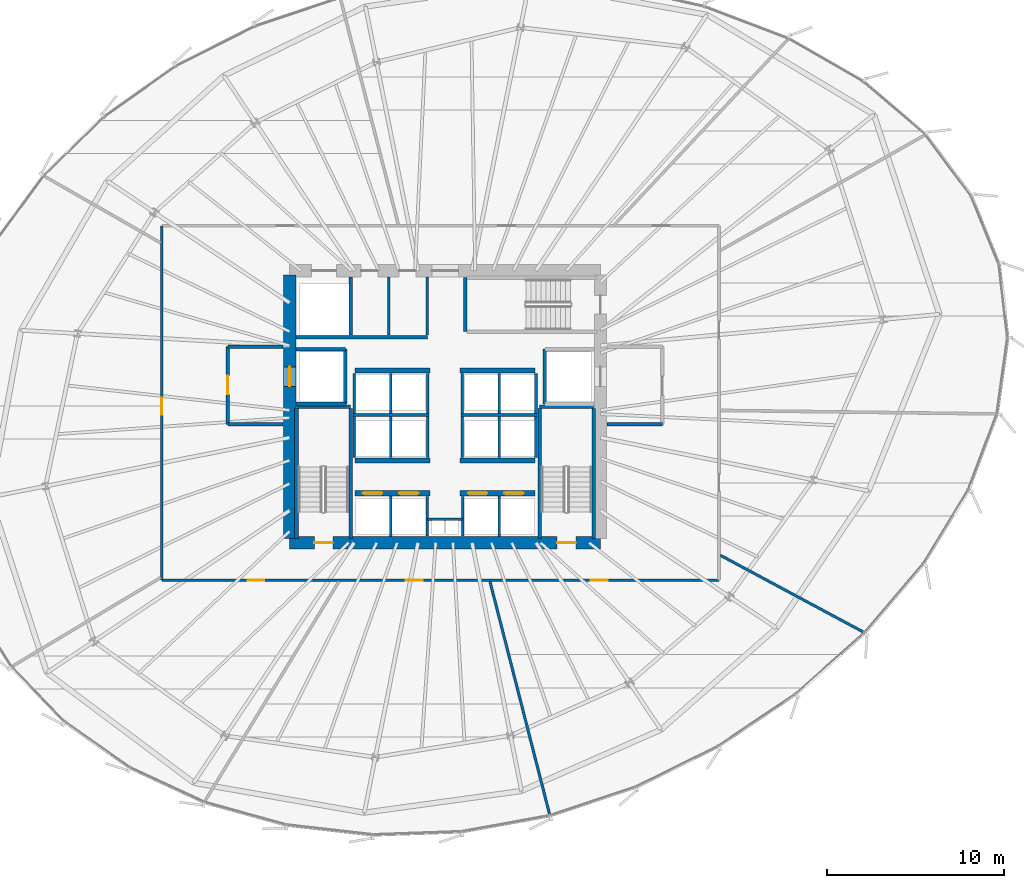
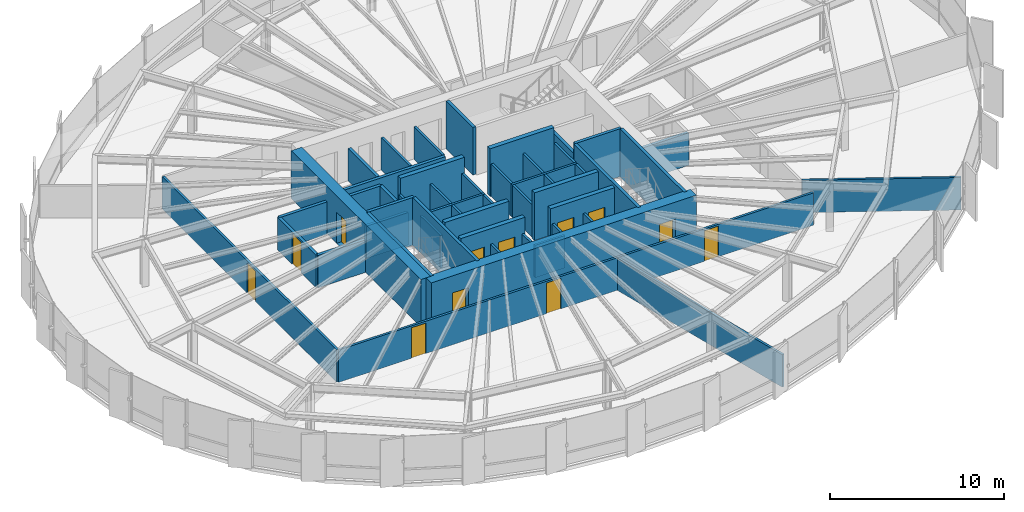
# One storey, part 28 of 35: 50 walls, 12 doors, 12 openings.
"""IFC4 building model written with IfcOpenShell, lengths in metres."""

from ifc_helpers import new_model, si_unit, direction, frame, frame_2d, origin, place, context, subcontext, project, spatial, rectangle, extrude, source, transform, mapped, material, layer, layer_set, type_object, element, fill, save


model = new_model("IFC4")

# Units and contexts
model_context = context("Model", 3, precision=1e-05, world=origin(), true_north=direction((0.0, 1.0)))
body_context = subcontext(model_context, "Body", "Model", "MODEL_VIEW")
ifc_project = project(units=[si_unit("LENGTHUNIT", "METRE"), si_unit("AREAUNIT", "SQUARE_METRE"), si_unit("VOLUMEUNIT", "CUBIC_METRE"), si_unit("PLANEANGLEUNIT", "RADIAN"), si_unit("MASSUNIT", "GRAM", prefix="KILO"), si_unit("THERMODYNAMICTEMPERATUREUNIT", "KELVIN")], contexts=[model_context])

# Site, building, storey
site_placement = place(None, origin())
site = spatial("IfcSite", under=ifc_project, at=site_placement, CompositionType="ELEMENT")
building_placement = place(site_placement, origin())
building = spatial("IfcBuilding", under=site, at=building_placement, Name="Kethvar Cultural Tower", CompositionType="ELEMENT")
storey_placement = place(building_placement, frame((0.0, 0.0, 92.800048828125)))
storey = spatial("IfcBuildingStorey", under=building, at=storey_placement, Name="L22", CompositionType="ELEMENT", Elevation=92.800048828125)

# Wall, openings, doors
ifc_material_1 = material(Name="Concrete C60/75", Category="concrete")
ifc_layer_1 = layer(ifc_material_1, 0.699951171875, Name="Concrete C60/75", Category="concrete")
ifc_layer_set_1 = layer_set([ifc_layer_1], Name="Concrete C60/75 (700 mm)")
wall_type_1 = type_object("IfcWallType", Name="WL-CORE-700", PredefinedType="SHEAR", material=ifc_layer_set_1)
wall_1_placement = place(storey_placement, frame((38.0, 20.10009765625, 0.0), z_axis=(0.0, 0.0, 1.0), x_axis=(1.0, 0.0, 0.0)))
wall_1 = element("IfcWall", 1, at=wall_1_placement, inside=storey, type_object=wall_type_1, Name="L22 Core Shear Wall S", PredefinedType="SHEAR", context=body_context, shape_type="SweptSolid", body=[
    extrude(rectangle(XDim=17.60009765625, YDim=0.699951171875, at=frame_2d((8.800048828125, 0.0))), origin(), (0.0, 0.0, 1.0), 3.349853515625),
])
opening_1_placement = place(wall_1_placement, frame((1.39990234375, 0.0, 0.0)))
opening_1 = element("IfcOpeningElement", 2, at=opening_1_placement, cuts=wall_1, Name="Opening D-L22-S1", PredefinedType="OPENING", context=body_context, shape_type="SweptSolid", body=[
    extrude(rectangle(XDim=1.050048828125, YDim=2.14990234375, at=frame_2d((0.52490234375, 1.074951171875))), frame((0.0, 0.35986328125, 0.0), z_axis=(0.0, -1.0, 0.0), x_axis=(1.0, 0.0, 0.0)), (0.0, 0.0, 1.0), 0.719970703125),
])
opening_2_placement = place(wall_1_placement, frame((15.14990234375, 0.0, 0.0)))
opening_2 = element("IfcOpeningElement", 3, at=opening_2_placement, cuts=wall_1, Name="Opening D-L22-ST2", PredefinedType="OPENING", context=body_context, shape_type="SweptSolid", body=[
    extrude(rectangle(XDim=1.050048828125, YDim=2.14990234375, at=frame_2d((0.52490234375, 1.074951171875))), frame((0.0, 0.35986328125, 0.0), z_axis=(0.0, -1.0, 0.0), x_axis=(1.0, 0.0, 0.0)), (0.0, 0.0, 1.0), 0.719970703125),
])
ifc_material_2 = material(Name="Steel S355J2", Category="steel")
door_type_1 = type_object("IfcDoorType", Name="DR-FD60-1050", OperationType="NOTDEFINED", PredefinedType="DOOR", material=ifc_material_2)
shared_shape_1 = source(origin(), body_context, "Body", "SweptSolid", [
    extrude(rectangle(XDim=1.050048828125, YDim=2.14990234375, at=frame_2d((0.52490234375, 1.074951171875))), frame((0.0, 0.02490234375, 0.0), z_axis=(0.0, -1.0, 0.0), x_axis=(1.0, 0.0, 0.0)), (0.0, 0.0, 1.0), 0.050048828125),
])
door_1_placement = place(opening_1_placement, origin())
door_1 = element("IfcDoor", 4, at=door_1_placement, inside=storey, type_object=door_type_1, Name="L22 Exit Stair 1 Door", OperationType="SINGLE_SWING_LEFT", OverallHeight=2.14990234375, OverallWidth=1.050048828125, PredefinedType="DOOR", context=body_context, shape_type="MappedRepresentation", body=[
    mapped(shared_shape_1, transform((0.0, 0.0, 0.0), scale=1.0)),
])
fill(opening_1, door_1)
door_2_placement = place(opening_2_placement, origin())
door_2 = element("IfcDoor", 5, at=door_2_placement, inside=storey, type_object=door_type_1, Name="L22 Exit Stair 2 Door", OperationType="SINGLE_SWING_RIGHT", OverallHeight=2.14990234375, OverallWidth=1.050048828125, PredefinedType="DOOR", context=body_context, shape_type="MappedRepresentation", body=[
    mapped(shared_shape_1, transform((0.0, 0.0, 0.0), scale=1.0)),
])
fill(opening_2, door_2)

# Wall, opening, door
wall_2_placement = place(storey_placement, frame((38.0, 35.260009765625, 0.0), z_axis=(0.0, 0.0, 1.0), x_axis=(0.0, -1.0, 0.0)))
wall_2 = element("IfcWall", 6, at=wall_2_placement, inside=storey, type_object=wall_type_1, Name="L22 Core Shear Wall W", PredefinedType="SHEAR", context=body_context, shape_type="SweptSolid", body=[
    extrude(rectangle(XDim=14.919921875, YDim=0.699951171875, at=frame_2d((7.4599609375, 0.0))), origin(), (0.0, 0.0, 1.0), 3.349853515625),
])
opening_3_placement = place(wall_2_placement, frame((5.2099609375, 0.0, 0.0)))
opening_3 = element("IfcOpeningElement", 7, at=opening_3_placement, cuts=wall_2, Name="Opening LD-1", PredefinedType="OPENING", context=body_context, shape_type="SweptSolid", body=[
    extrude(rectangle(XDim=1.10009765625, YDim=2.199951171875, at=frame_2d((0.550048828125, 1.10009765625))), frame((0.0, 0.35986328125, 0.0), z_axis=(0.0, -1.0, 0.0), x_axis=(1.0, 0.0, 0.0)), (0.0, 0.0, 1.0), 0.719970703125),
])
door_type_2 = type_object("IfcDoorType", Name="DR-LIFT-SLIDE-1100", OperationType="NOTDEFINED", PredefinedType="DOOR", material=ifc_material_2)
shared_shape_2 = source(origin(), body_context, "Body", "SweptSolid", [
    extrude(rectangle(XDim=1.10009765625, YDim=2.199951171875, at=frame_2d((0.550048828125, 1.10009765625))), frame((0.0, 0.02490234375, 0.0), z_axis=(0.0, -1.0, 0.0), x_axis=(1.0, 0.0, 0.0)), (0.0, 0.0, 1.0), 0.050048828125),
])
door_3_placement = place(opening_3_placement, origin())
door_3 = element("IfcDoor", 8, at=door_3_placement, inside=storey, type_object=door_type_2, Name="L22 Firefighting Lift Landing Door FFL-01", OperationType="SLIDING_TO_LEFT", OverallHeight=2.199951171875, OverallWidth=1.10009765625, PredefinedType="DOOR", context=body_context, shape_type="MappedRepresentation", body=[
    mapped(shared_shape_2, transform((0.0, 0.0, 0.0), scale=1.0)),
])
fill(opening_3, door_3)

# Walls
ifc_material_3 = material(Name="Gypsum Fireboard Partition")
ifc_layer_2 = layer(ifc_material_3, 0.14990234375, Name="Gypsum Fireboard Partition")
ifc_layer_set_2 = layer_set([ifc_layer_2], Name="Gypsum Fireboard Partition (150 mm)")
wall_type_2 = type_object("IfcWallType", Name="WL-FIRE-150", PredefinedType="PARTITIONING", material=ifc_layer_set_2)
wall_3_placement = place(storey_placement, frame((45.800048828125, 21.419921875, 0.0), z_axis=(0.0, 0.0, 1.0), x_axis=(1.0, 0.0, 0.0)))
element("IfcWall", 9, at=wall_3_placement, inside=storey, type_object=wall_type_2, Name="L22 Core Riser Wall", PredefinedType="PARTITIONING", context=body_context, shape_type="SweptSolid", body=[
    extrude(rectangle(XDim=2.0, YDim=0.14990234375, at=frame_2d((1.0, 0.0))), origin(), (0.0, 0.0, 1.0), 2.280029296875),
])
for number, where, z_axis, x_axis, name in (
    (10, (45.800048828125, 20.47998046875, 0.0), (0.0, 0.0, 1.0), (0.0, 1.0, 0.0), "L22 Core Riser West Wall"),
    (11, (47.800048828125, 20.47998046875, 0.0), (0.0, 0.0, 1.0), (0.0, 1.0, 0.0), "L22 Core Riser East Wall"),
):
    element("IfcWall", number, at=place(storey_placement, frame(where, z_axis=z_axis, x_axis=x_axis)), inside=storey, type_object=wall_type_2, Name=name, PredefinedType="PARTITIONING", context=body_context, shape_type="SweptSolid", body=[
        extrude(rectangle(XDim=2.239990234375, YDim=0.14990234375, at=frame_2d((1.1201171875, 0.0))), origin(), (0.0, 0.0, 1.0), 2.280029296875),
    ])
for number, where, z_axis, x_axis, name in (
    (12, (43.72509765625, 20.4599609375, 0.0), (0.0, 0.0, 1.0), (0.0, 1.0, 0.0), "L22 Low-Rise Lift Shaft Divider W"),
    (13, (49.875, 20.4599609375, 0.0), (0.0, 0.0, 1.0), (0.0, 1.0, 0.0), "L22 Low-Rise Lift Shaft Divider E"),
):
    element("IfcWall", number, at=place(storey_placement, frame(where, z_axis=z_axis, x_axis=x_axis)), inside=storey, type_object=wall_type_2, Name=name, PredefinedType="PARTITIONING", context=body_context, shape_type="SweptSolid", body=[
        extrude(rectangle(XDim=2.27001953125, YDim=0.14990234375, at=frame_2d((1.135009765625, 0.0))), origin(), (0.0, 0.0, 1.0), 2.280029296875),
    ])
wall_4_placement = place(storey_placement, frame((41.580078125, 27.324951171875, 0.0), z_axis=(0.0, 0.0, 1.0), x_axis=(1.0, 0.0, 0.0)))
element("IfcWall", 14, at=wall_4_placement, inside=storey, type_object=wall_type_2, Name="L22 Mid-High Lift Shaft Back Wall W", PredefinedType="PARTITIONING", context=body_context, shape_type="SweptSolid", body=[
    extrude(rectangle(XDim=4.31982421875, YDim=0.14990234375, at=frame_2d((2.159912109375, 0.0))), origin(), (0.0, 0.0, 1.0), 2.280029296875),
])
wall_5_placement = place(storey_placement, frame((47.699951171875, 27.324951171875, 0.0), z_axis=(0.0, 0.0, 1.0), x_axis=(1.0, 0.0, 0.0)))
element("IfcWall", 15, at=wall_5_placement, inside=storey, type_object=wall_type_2, Name="L22 Mid-High Lift Shaft Back Wall E", PredefinedType="PARTITIONING", context=body_context, shape_type="SweptSolid", body=[
    extrude(rectangle(XDim=4.320068359375, YDim=0.14990234375, at=frame_2d((2.16015625, 0.0))), origin(), (0.0, 0.0, 1.0), 2.280029296875),
])
for number, where, z_axis, x_axis, name in (
    (16, (41.64990234375, 24.919921875, 0.0), (0.0, 0.0, 1.0), (0.0, 1.0, 0.0), "L22 Mid-Rise Lift Shaft Outer Wall W"),
    (17, (43.72509765625, 24.919921875, 0.0), (0.0, 0.0, 1.0), (0.0, 1.0, 0.0), "L22 Mid-Rise Lift Shaft Divider W"),
    (18, (45.824951171875, 24.919921875, 0.0), (0.0, 0.0, 1.0), (0.0, 1.0, 0.0), "L22 Mid-Rise Lift Shaft Concourse Wall W"),
    (19, (47.77490234375, 24.919921875, 0.0), (0.0, 0.0, 1.0), (0.0, 1.0, 0.0), "L22 Mid-Rise Lift Shaft Concourse Wall E"),
    (20, (49.875, 24.919921875, 0.0), (0.0, 0.0, 1.0), (0.0, 1.0, 0.0), "L22 Mid-Rise Lift Shaft Divider E"),
    (21, (51.949951171875, 24.919921875, 0.0), (0.0, 0.0, 1.0), (0.0, 1.0, 0.0), "L22 Mid-Rise Lift Shaft Outer Wall E"),
):
    element("IfcWall", number, at=place(storey_placement, frame(where, z_axis=z_axis, x_axis=x_axis)), inside=storey, type_object=wall_type_2, Name=name, PredefinedType="PARTITIONING", context=body_context, shape_type="SweptSolid", body=[
        extrude(rectangle(XDim=2.320068359375, YDim=0.14990234375, at=frame_2d((1.16015625, 0.0))), origin(), (0.0, 0.0, 1.0), 2.280029296875),
    ])
for number, where, z_axis, x_axis, name in (
    (22, (41.64990234375, 27.409912109375, 0.0), (0.0, 0.0, 1.0), (0.0, 1.0, 0.0), "L22 High-Rise Lift Shaft Outer Wall W"),
    (23, (43.72509765625, 27.409912109375, 0.0), (0.0, 0.0, 1.0), (0.0, 1.0, 0.0), "L22 High-Rise Lift Shaft Divider W"),
    (24, (45.824951171875, 27.409912109375, 0.0), (0.0, 0.0, 1.0), (0.0, 1.0, 0.0), "L22 High-Rise Lift Shaft Concourse Wall W"),
    (25, (47.77490234375, 27.409912109375, 0.0), (0.0, 0.0, 1.0), (0.0, 1.0, 0.0), "L22 High-Rise Lift Shaft Concourse Wall E"),
    (26, (49.875, 27.409912109375, 0.0), (0.0, 0.0, 1.0), (0.0, 1.0, 0.0), "L22 High-Rise Lift Shaft Divider E"),
    (27, (51.949951171875, 27.409912109375, 0.0), (0.0, 0.0, 1.0), (0.0, 1.0, 0.0), "L22 High-Rise Lift Shaft Outer Wall E"),
):
    element("IfcWall", number, at=place(storey_placement, frame(where, z_axis=z_axis, x_axis=x_axis)), inside=storey, type_object=wall_type_2, Name=name, PredefinedType="PARTITIONING", context=body_context, shape_type="SweptSolid", body=[
        extrude(rectangle(XDim=2.27001953125, YDim=0.14990234375, at=frame_2d((1.135009765625, 0.0))), origin(), (0.0, 0.0, 1.0), 2.280029296875),
    ])
wall_6_placement = place(storey_placement, frame((45.800048828125, 31.85009765625, 0.0), z_axis=(0.0, 0.0, 1.0), x_axis=(0.0, 1.0, 0.0)))
element("IfcWall", 28, at=wall_6_placement, inside=storey, type_object=wall_type_2, Name="L22 Sanitary Spine Wall", PredefinedType="PARTITIONING", context=body_context, shape_type="SweptSolid", body=[
    extrude(rectangle(XDim=3.289794921875, YDim=0.14990234375, at=frame_2d((1.64501953125, 0.0))), origin(), (0.0, 0.0, 1.0), 2.280029296875),
])

# Wall, openings, doors
wall_7_placement = place(storey_placement, frame((30.77001953125, 17.97998046875, 0.0), z_axis=(0.0, 0.0, 1.0), x_axis=(1.0, 0.0, 0.0)))
wall_7 = element("IfcWall", 29, at=wall_7_placement, inside=storey, type_object=wall_type_2, Name="L22 Corridor Rated Wall S", PredefinedType="PARTITIONING", context=body_context, shape_type="SweptSolid", body=[
    extrude(rectangle(XDim=31.5400390625, YDim=0.14990234375, at=frame_2d((15.77001953125, 0.0))), origin(), (0.0, 0.0, 1.0), 2.280029296875),
])
opening_4_placement = place(wall_7_placement, frame((4.848388671875, 0.0, 0.0)))
opening_4 = element("IfcOpeningElement", 30, at=opening_4_placement, cuts=wall_7, Name="Opening D-L22-01", PredefinedType="OPENING", context=body_context, shape_type="SweptSolid", body=[
    extrude(rectangle(XDim=0.949951171875, YDim=2.14990234375, at=frame_2d((0.47509765625, 1.074951171875))), frame((0.0, 0.0849609375, 0.0), z_axis=(0.0, -1.0, 0.0), x_axis=(1.0, 0.0, 0.0)), (0.0, 0.0, 1.0), 0.169921875),
])
opening_5_placement = place(wall_7_placement, frame((13.81494140625, 0.0, 0.0)))
opening_5 = element("IfcOpeningElement", 31, at=opening_5_placement, cuts=wall_7, Name="Opening D-L22-02", PredefinedType="OPENING", context=body_context, shape_type="SweptSolid", body=[
    extrude(rectangle(XDim=0.949951171875, YDim=2.14990234375, at=frame_2d((0.47509765625, 1.074951171875))), frame((0.0, 0.0849609375, 0.0), z_axis=(0.0, -1.0, 0.0), x_axis=(1.0, 0.0, 0.0)), (0.0, 0.0, 1.0), 0.169921875),
])
opening_6_placement = place(wall_7_placement, frame((24.28076171875, 0.0, 0.0)))
opening_6 = element("IfcOpeningElement", 32, at=opening_6_placement, cuts=wall_7, Name="Opening D-L22-03", PredefinedType="OPENING", context=body_context, shape_type="SweptSolid", body=[
    extrude(rectangle(XDim=0.949951171875, YDim=2.14990234375, at=frame_2d((0.47509765625, 1.074951171875))), frame((0.0, 0.0849609375, 0.0), z_axis=(0.0, -1.0, 0.0), x_axis=(1.0, 0.0, 0.0)), (0.0, 0.0, 1.0), 0.169921875),
])
ifc_material_4 = material(Name="Architectural Oak Timber", Category="wood")
door_type_3 = type_object("IfcDoorType", Name="DR-FD30-950", OperationType="NOTDEFINED", PredefinedType="DOOR", material=ifc_material_4)
shared_shape_3 = source(origin(), body_context, "Body", "SweptSolid", [
    extrude(rectangle(XDim=0.949951171875, YDim=2.14990234375, at=frame_2d((0.47509765625, 1.074951171875))), frame((0.0, 0.02490234375, 0.0), z_axis=(0.0, -1.0, 0.0), x_axis=(1.0, 0.0, 0.0)), (0.0, 0.0, 1.0), 0.050048828125),
])
door_4_placement = place(opening_4_placement, origin())
door_4 = element("IfcDoor", 33, at=door_4_placement, inside=storey, type_object=door_type_3, Name="L22 Special Collections Storage 01 Door", OperationType="SINGLE_SWING_LEFT", OverallHeight=2.14990234375, OverallWidth=0.949951171875, PredefinedType="DOOR", context=body_context, shape_type="MappedRepresentation", body=[
    mapped(shared_shape_3, transform((0.0, 0.0, 0.0), scale=1.0)),
])
fill(opening_4, door_4)
door_5_placement = place(opening_5_placement, origin())
door_5 = element("IfcDoor", 34, at=door_5_placement, inside=storey, type_object=door_type_3, Name="L22 Manuscript Archive Store 02 Door", OperationType="SINGLE_SWING_RIGHT", OverallHeight=2.14990234375, OverallWidth=0.949951171875, PredefinedType="DOOR", context=body_context, shape_type="MappedRepresentation", body=[
    mapped(shared_shape_3, transform((0.0, 0.0, 0.0), scale=1.0)),
])
fill(opening_5, door_5)
door_6_placement = place(opening_6_placement, origin())
door_6 = element("IfcDoor", 35, at=door_6_placement, inside=storey, type_object=door_type_3, Name="L22 Artifact Conservation Storage 03 Door", OperationType="SINGLE_SWING_LEFT", OverallHeight=2.14990234375, OverallWidth=0.949951171875, PredefinedType="DOOR", context=body_context, shape_type="MappedRepresentation", body=[
    mapped(shared_shape_3, transform((0.0, 0.0, 0.0), scale=1.0)),
])
fill(opening_6, door_6)

# Wall, opening, door
wall_8_placement = place(storey_placement, frame((30.77001953125, 38.0400390625, 0.0), z_axis=(0.0, 0.0, 1.0), x_axis=(0.0, -1.0, 0.0)))
wall_8 = element("IfcWall", 36, at=wall_8_placement, inside=storey, type_object=wall_type_2, Name="L22 Corridor Rated Wall W", PredefinedType="PARTITIONING", context=body_context, shape_type="SweptSolid", body=[
    extrude(rectangle(XDim=20.06005859375, YDim=0.14990234375, at=frame_2d((10.030029296875, 0.0))), origin(), (0.0, 0.0, 1.0), 2.280029296875),
])
opening_7_placement = place(wall_8_placement, frame((9.74853515625, 0.0, 0.0)))
opening_7 = element("IfcOpeningElement", 37, at=opening_7_placement, cuts=wall_8, Name="Opening D-L22-09", PredefinedType="OPENING", context=body_context, shape_type="SweptSolid", body=[
    extrude(rectangle(XDim=0.949951171875, YDim=2.14990234375, at=frame_2d((0.47509765625, 1.074951171875))), frame((0.0, 0.0849609375, 0.0), z_axis=(0.0, -1.0, 0.0), x_axis=(1.0, 0.0, 0.0)), (0.0, 0.0, 1.0), 0.169921875),
])
door_7_placement = place(opening_7_placement, origin())
door_7 = element("IfcDoor", 38, at=door_7_placement, inside=storey, type_object=door_type_3, Name="L22 Researchers' Study Lounge 09 Door", OperationType="SINGLE_SWING_LEFT", OverallHeight=2.14990234375, OverallWidth=0.949951171875, PredefinedType="DOOR", context=body_context, shape_type="MappedRepresentation", body=[
    mapped(shared_shape_3, transform((0.0, 0.0, 0.0), scale=1.0)),
])
fill(opening_7, door_7)

# Walls
ifc_material_5 = material(Name="Concrete C40/50", Category="concrete")
ifc_layer_3 = layer(ifc_material_5, 0.199951171875, Name="Concrete C40/50", Category="concrete")
ifc_layer_set_3 = layer_set([ifc_layer_3], Name="Concrete C40/50 (200 mm)")
wall_type_3 = type_object("IfcWallType", Name="WL-FIRE-200", PredefinedType="PARTITIONING", material=ifc_layer_set_3)
wall_9_placement = place(storey_placement, frame((41.14990234375, 27.949951171875, 0.0), z_axis=(0.0, 0.0, 1.0), x_axis=(0.0, 1.0, 0.0)))
element("IfcWall", 39, at=wall_9_placement, inside=storey, type_object=wall_type_3, Name="L22 FFL-01 Shaft Inner Wall", PredefinedType="PARTITIONING", context=body_context, shape_type="SweptSolid", body=[
    extrude(rectangle(XDim=3.10009765625, YDim=0.199951171875, at=frame_2d((1.550048828125, 0.0))), origin(), (0.0, 0.0, 1.0), 2.280029296875),
])
for number, where, z_axis, x_axis, name in (
    (40, (38.360107421875, 27.949951171875, 0.0), (0.0, 0.0, 1.0), (1.0, 0.0, 0.0), "L22 FFL-01 Shaft South Wall"),
    (41, (38.360107421875, 31.050048828125, 0.0), (0.0, 0.0, 1.0), (1.0, 0.0, 0.0), "L22 FFL-01 Shaft North Wall"),
):
    element("IfcWall", number, at=place(storey_placement, frame(where, z_axis=z_axis, x_axis=x_axis)), inside=storey, type_object=wall_type_3, Name=name, PredefinedType="PARTITIONING", context=body_context, shape_type="SweptSolid", body=[
        extrude(rectangle(XDim=2.789794921875, YDim=0.199951171875, at=frame_2d((1.39501953125, 0.0))), origin(), (0.0, 0.0, 1.0), 2.280029296875),
    ])

# Wall, opening, door
wall_10_placement = place(storey_placement, frame((34.5, 31.199951171875, 0.0), z_axis=(0.0, 0.0, 1.0), x_axis=(0.0, -1.0, 0.0)))
wall_10 = element("IfcWall", 42, at=wall_10_placement, inside=storey, type_object=wall_type_3, Name="L22 Firefighting Lobby 1 Wall", PredefinedType="PARTITIONING", context=body_context, shape_type="SweptSolid", body=[
    extrude(rectangle(XDim=4.39990234375, YDim=0.199951171875, at=frame_2d((2.199951171875, 0.0))), origin(), (0.0, 0.0, 1.0), 2.280029296875),
])
opening_8_placement = place(wall_10_placement, frame((1.64990234375, 0.0, 0.0)))
opening_8 = element("IfcOpeningElement", 43, at=opening_8_placement, cuts=wall_10, Name="Opening D-L22-F1", PredefinedType="OPENING", context=body_context, shape_type="SweptSolid", body=[
    extrude(rectangle(XDim=1.050048828125, YDim=2.14990234375, at=frame_2d((0.52490234375, 1.074951171875))), frame((0.0, 0.10986328125, 0.0), z_axis=(0.0, -1.0, 0.0), x_axis=(1.0, 0.0, 0.0)), (0.0, 0.0, 1.0), 0.219970703125),
])
door_8_placement = place(opening_8_placement, origin())
door_8 = element("IfcDoor", 44, at=door_8_placement, inside=storey, type_object=door_type_1, Name="L22 Firefighting Lobby 1 Fire Door", OperationType="SINGLE_SWING_LEFT", OverallHeight=2.14990234375, OverallWidth=1.050048828125, PredefinedType="DOOR", context=body_context, shape_type="MappedRepresentation", body=[
    mapped(shared_shape_1, transform((0.0, 0.0, 0.0), scale=1.0)),
])
fill(opening_8, door_8)

# Walls
for number, where, z_axis, x_axis, name in (
    (45, (34.5, 26.800048828125, 0.0), (0.0, 0.0, 1.0), (1.0, 0.0, 0.0), "L22 FF Lobby 1 South Wall"),
    (46, (34.5, 31.199951171875, 0.0), (0.0, 0.0, 1.0), (1.0, 0.0, 0.0), "L22 FF Lobby 1 North Wall"),
):
    element("IfcWall", number, at=place(storey_placement, frame(where, z_axis=z_axis, x_axis=x_axis)), inside=storey, type_object=wall_type_3, Name=name, PredefinedType="PARTITIONING", context=body_context, shape_type="SweptSolid", body=[
        extrude(rectangle(XDim=3.139892578125, YDim=0.199951171875, at=frame_2d((1.56982421875, 0.0))), origin(), (0.0, 0.0, 1.0), 2.280029296875),
    ])
wall_11_placement = place(storey_placement, frame((52.449951171875, 27.949951171875, 0.0), z_axis=(0.0, 0.0, 1.0), x_axis=(0.0, 1.0, 0.0)))
element("IfcWall", 47, at=wall_11_placement, inside=storey, type_object=wall_type_3, Name="L22 FFL-02 Shaft Inner Wall", PredefinedType="PARTITIONING", context=body_context, shape_type="SweptSolid", body=[
    extrude(rectangle(XDim=3.10009765625, YDim=0.199951171875, at=frame_2d((1.550048828125, 0.0))), origin(), (0.0, 0.0, 1.0), 2.280029296875),
])
wall_12_placement = place(storey_placement, frame((55.9599609375, 26.800048828125, 0.0), z_axis=(0.0, 0.0, 1.0), x_axis=(1.0, 0.0, 0.0)))
element("IfcWall", 48, at=wall_12_placement, inside=storey, type_object=wall_type_3, Name="L22 FF Lobby 2 South Wall", PredefinedType="PARTITIONING", context=body_context, shape_type="SweptSolid", body=[
    extrude(rectangle(XDim=3.14013671875, YDim=0.199951171875, at=frame_2d((1.570068359375, 0.0))), origin(), (0.0, 0.0, 1.0), 2.280029296875),
])
wall_13_placement = place(storey_placement, frame((41.449951171875, 31.85009765625, 0.0), z_axis=(0.0, 0.0, 1.0), x_axis=(0.0, 1.0, 0.0)))
element("IfcWall", 49, at=wall_13_placement, inside=storey, type_object=wall_type_3, Name="L22 NW Core Pocket Wall", PredefinedType="PARTITIONING", context=body_context, shape_type="SweptSolid", body=[
    extrude(rectangle(XDim=3.289794921875, YDim=0.199951171875, at=frame_2d((1.64501953125, 0.0))), origin(), (0.0, 0.0, 1.0), 2.280029296875),
])
wall_14_placement = place(storey_placement, frame((38.360107421875, 31.72998046875, 0.0), z_axis=(0.0, 0.0, 1.0), x_axis=(1.0, 0.0, 0.0)))
element("IfcWall", 50, at=wall_14_placement, inside=storey, type_object=wall_type_3, Name="L22 North Core Sanitary South Wall", PredefinedType="PARTITIONING", context=body_context, shape_type="SweptSolid", body=[
    extrude(rectangle(XDim=7.43994140625, YDim=0.199951171875, at=frame_2d((3.719970703125, 0.0))), origin(), (0.0, 0.0, 1.0), 2.280029296875),
])
ifc_material_6 = material(Name="Gypsum Acoustic Partition")
ifc_layer_4 = layer(ifc_material_6, 0.14990234375, Name="Gypsum Acoustic Partition")
ifc_layer_set_4 = layer_set([ifc_layer_4], Name="Gypsum Acoustic Partition (150 mm)")
wall_type_4 = type_object("IfcWallType", Name="WL-PART-150", PredefinedType="PARTITIONING", material=ifc_layer_set_4)
wall_15_placement = place(storey_placement, frame((49.34130859375, 17.902587890625, 0.0), z_axis=(0.0, 0.0, 1.0), x_axis=(0.248100788848, -0.968734224941, 0.0)))
element("IfcWall", 51, at=wall_15_placement, inside=storey, type_object=wall_type_4, Name="L22 Radial Partition Wall 03", PredefinedType="PARTITIONING", context=body_context, shape_type="SweptSolid", body=[
    extrude(rectangle(XDim=13.56396484375, YDim=0.14990234375, at=frame_2d((6.781982421875, 0.0))), origin(), (0.0, 0.0, 1.0), 2.280029296875),
])
wall_16_placement = place(storey_placement, frame((62.380615234375, 19.38818359375, 0.0), z_axis=(0.0, 0.0, 1.0), x_axis=(0.881148345104, -0.472839924204, 0.0)))
element("IfcWall", 52, at=wall_16_placement, inside=storey, type_object=wall_type_4, Name="L22 Radial Partition Wall 04", PredefinedType="PARTITIONING", context=body_context, shape_type="SweptSolid", body=[
    extrude(rectangle(XDim=9.155517578125, YDim=0.14990234375, at=frame_2d((4.57763671875, 0.0))), origin(), (0.0, 0.0, 1.0), 2.280029296875),
])
ifc_material_7 = material(Name="Moisture-Resistant Sanitary Chase Wall")
ifc_layer_5 = layer(ifc_material_7, 0.14990234375, Name="Moisture-Resistant Sanitary Chase Wall")
ifc_layer_set_5 = layer_set([ifc_layer_5], Name="Moisture-Resistant Sanitary Chase Wall (150 mm)")
wall_type_5 = type_object("IfcWallType", Name="WL-PLUMB-150", PredefinedType="PLUMBINGWALL", material=ifc_layer_set_5)
wall_17_placement = place(storey_placement, frame((43.6201171875, 31.85009765625, 0.0), z_axis=(0.0, 0.0, 1.0), x_axis=(0.0, 1.0, 0.0)))
element("IfcWall", 53, at=wall_17_placement, inside=storey, type_object=wall_type_5, Name="L22 Sanitary Plumbing Wall", PredefinedType="PLUMBINGWALL", context=body_context, shape_type="SweptSolid", body=[
    extrude(rectangle(XDim=3.289794921875, YDim=0.14990234375, at=frame_2d((1.64501953125, 0.0))), origin(), (0.0, 0.0, 1.0), 2.280029296875),
])

# Wall, openings, doors
ifc_material_8 = material(Name="Concrete C50/60", Category="concrete")
ifc_layer_6 = layer(ifc_material_8, 0.300048828125, Name="Concrete C50/60", Category="concrete")
ifc_layer_set_6 = layer_set([ifc_layer_6], Name="Concrete C50/60 (300 mm)")
wall_type_6 = type_object("IfcWallType", Name="WL-SHAFT-300", PredefinedType="SHEAR", material=ifc_layer_set_6)
wall_18_placement = place(storey_placement, frame((41.699951171875, 22.89990234375, 0.0), z_axis=(0.0, 0.0, 1.0), x_axis=(1.0, 0.0, 0.0)))
wall_18 = element("IfcWall", 54, at=wall_18_placement, inside=storey, type_object=wall_type_6, Name="L22 Core Lift Spine Wall MID1W", PredefinedType="SHEAR", context=body_context, shape_type="SweptSolid", body=[
    extrude(rectangle(XDim=4.25, YDim=0.300048828125, at=frame_2d((2.125, 0.0))), origin(), (0.0, 0.0, 1.0), 3.349853515625),
])
opening_9_placement = place(wall_18_placement, frame((0.449951171875, 0.0, 0.0)))
opening_9 = element("IfcOpeningElement", 55, at=opening_9_placement, cuts=wall_18, Name="Opening LD-L1", PredefinedType="OPENING", context=body_context, shape_type="SweptSolid", body=[
    extrude(rectangle(XDim=1.10009765625, YDim=2.199951171875, at=frame_2d((0.550048828125, 1.10009765625))), frame((0.0, 0.159912109375, 0.0), z_axis=(0.0, -1.0, 0.0), x_axis=(1.0, 0.0, 0.0)), (0.0, 0.0, 1.0), 0.320068359375),
])
opening_10_placement = place(wall_18_placement, frame((2.5, 0.0, 0.0)))
opening_10 = element("IfcOpeningElement", 56, at=opening_10_placement, cuts=wall_18, Name="Opening LD-L2", PredefinedType="OPENING", context=body_context, shape_type="SweptSolid", body=[
    extrude(rectangle(XDim=1.10009765625, YDim=2.199951171875, at=frame_2d((0.550048828125, 1.10009765625))), frame((0.0, 0.159912109375, 0.0), z_axis=(0.0, -1.0, 0.0), x_axis=(1.0, 0.0, 0.0)), (0.0, 0.0, 1.0), 0.320068359375),
])
door_9_placement = place(opening_9_placement, origin())
door_9 = element("IfcDoor", 57, at=door_9_placement, inside=storey, type_object=door_type_2, Name="L22 Low-Rise Lift Landing Door L1", OperationType="SLIDING_TO_LEFT", OverallHeight=2.199951171875, OverallWidth=1.10009765625, PredefinedType="DOOR", context=body_context, shape_type="MappedRepresentation", body=[
    mapped(shared_shape_2, transform((0.0, 0.0, 0.0), scale=1.0)),
])
fill(opening_9, door_9)
door_10_placement = place(opening_10_placement, origin())
door_10 = element("IfcDoor", 58, at=door_10_placement, inside=storey, type_object=door_type_2, Name="L22 Low-Rise Lift Landing Door L2", OperationType="SLIDING_TO_LEFT", OverallHeight=2.199951171875, OverallWidth=1.10009765625, PredefinedType="DOOR", context=body_context, shape_type="MappedRepresentation", body=[
    mapped(shared_shape_2, transform((0.0, 0.0, 0.0), scale=1.0)),
])
fill(opening_10, door_10)

wall_19_placement = place(storey_placement, frame((47.64990234375, 22.89990234375, 0.0), z_axis=(0.0, 0.0, 1.0), x_axis=(1.0, 0.0, 0.0)))
wall_19 = element("IfcWall", 59, at=wall_19_placement, inside=storey, type_object=wall_type_6, Name="L22 Core Lift Spine Wall MID1E", PredefinedType="SHEAR", context=body_context, shape_type="SweptSolid", body=[
    extrude(rectangle(XDim=4.25, YDim=0.300048828125, at=frame_2d((2.125, 0.0))), origin(), (0.0, 0.0, 1.0), 3.349853515625),
])
opening_11_placement = place(wall_19_placement, frame((0.449951171875, 0.0, 0.0)))
opening_11 = element("IfcOpeningElement", 60, at=opening_11_placement, cuts=wall_19, Name="Opening LD-L3", PredefinedType="OPENING", context=body_context, shape_type="SweptSolid", body=[
    extrude(rectangle(XDim=1.10009765625, YDim=2.199951171875, at=frame_2d((0.550048828125, 1.10009765625))), frame((0.0, 0.159912109375, 0.0), z_axis=(0.0, -1.0, 0.0), x_axis=(1.0, 0.0, 0.0)), (0.0, 0.0, 1.0), 0.320068359375),
])
opening_12_placement = place(wall_19_placement, frame((2.5, 0.0, 0.0)))
opening_12 = element("IfcOpeningElement", 61, at=opening_12_placement, cuts=wall_19, Name="Opening LD-L4", PredefinedType="OPENING", context=body_context, shape_type="SweptSolid", body=[
    extrude(rectangle(XDim=1.10009765625, YDim=2.199951171875, at=frame_2d((0.550048828125, 1.10009765625))), frame((0.0, 0.159912109375, 0.0), z_axis=(0.0, -1.0, 0.0), x_axis=(1.0, 0.0, 0.0)), (0.0, 0.0, 1.0), 0.320068359375),
])
door_11_placement = place(opening_11_placement, origin())
door_11 = element("IfcDoor", 62, at=door_11_placement, inside=storey, type_object=door_type_2, Name="L22 Low-Rise Lift Landing Door L3", OperationType="SLIDING_TO_LEFT", OverallHeight=2.199951171875, OverallWidth=1.10009765625, PredefinedType="DOOR", context=body_context, shape_type="MappedRepresentation", body=[
    mapped(shared_shape_2, transform((0.0, 0.0, 0.0), scale=1.0)),
])
fill(opening_11, door_11)
door_12_placement = place(opening_12_placement, origin())
door_12 = element("IfcDoor", 63, at=door_12_placement, inside=storey, type_object=door_type_2, Name="L22 Low-Rise Lift Landing Door L4", OperationType="SLIDING_TO_LEFT", OverallHeight=2.199951171875, OverallWidth=1.10009765625, PredefinedType="DOOR", context=body_context, shape_type="MappedRepresentation", body=[
    mapped(shared_shape_2, transform((0.0, 0.0, 0.0), scale=1.0)),
])
fill(opening_12, door_12)

# Walls
for number, where, z_axis, x_axis, name in (
    (64, (41.699951171875, 24.75, 0.0), (0.0, 0.0, 1.0), (1.0, 0.0, 0.0), "L22 Core Lift Spine Wall MID2W"),
    (65, (47.64990234375, 24.75, 0.0), (0.0, 0.0, 1.0), (1.0, 0.0, 0.0), "L22 Core Lift Spine Wall MID2E"),
    (66, (41.699951171875, 29.85009765625, 0.0), (0.0, 0.0, 1.0), (1.0, 0.0, 0.0), "L22 Core Lift Spine Wall MID3W"),
    (67, (47.64990234375, 29.85009765625, 0.0), (0.0, 0.0, 1.0), (1.0, 0.0, 0.0), "L22 Core Lift Spine Wall MID3E"),
):
    element("IfcWall", number, at=place(storey_placement, frame(where, z_axis=z_axis, x_axis=x_axis)), inside=storey, type_object=wall_type_6, Name=name, PredefinedType="SHEAR", context=body_context, shape_type="SweptSolid", body=[
        extrude(rectangle(XDim=4.25, YDim=0.300048828125, at=frame_2d((2.125, 0.0))), origin(), (0.0, 0.0, 1.0), 3.349853515625),
    ])
ifc_layer_7 = layer(ifc_material_8, 0.199951171875, Name="Concrete C50/60", Category="concrete")
ifc_layer_set_7 = layer_set([ifc_layer_7], Name="Concrete C50/60 (200 mm)")
wall_type_7 = type_object("IfcWallType", Name="WL-STSHAFT-200", PredefinedType="SHEAR", material=ifc_layer_set_7)
wall_20_placement = place(storey_placement, frame((38.389892578125, 27.800048828125, 0.0), z_axis=(0.0, 0.0, 1.0), x_axis=(1.0, 0.0, 0.0)))
element("IfcWall", 68, at=wall_20_placement, inside=storey, type_object=wall_type_7, Name="L22 ST-01 Stair Shaft Wall FAR", PredefinedType="SHEAR", context=body_context, shape_type="SweptSolid", body=[
    extrude(rectangle(XDim=3.06005859375, YDim=0.199951171875, at=frame_2d((1.530029296875, 0.0))), origin(), (0.0, 0.0, 1.0), 3.349853515625),
])
for number, where, z_axis, x_axis, name in (
    (69, (41.449951171875, 27.699951171875, 0.0), (0.0, 0.0, 1.0), (0.0, -1.0, 0.0), "L22 ST-01 Stair Shaft Wall LEFT"),
    (70, (38.389892578125, 20.35009765625, 0.0), (0.0, 0.0, 1.0), (0.0, 1.0, 0.0), "L22 ST-01 Stair Shaft Wall RIGHT"),
):
    element("IfcWall", number, at=place(storey_placement, frame(where, z_axis=z_axis, x_axis=x_axis)), inside=storey, type_object=wall_type_7, Name=name, PredefinedType="SHEAR", context=body_context, shape_type="SweptSolid", body=[
        extrude(rectangle(XDim=7.349853515625, YDim=0.199951171875, at=frame_2d((3.6748046875, 0.0))), origin(), (0.0, 0.0, 1.0), 3.349853515625),
    ])
wall_21_placement = place(storey_placement, frame((52.14990234375, 27.800048828125, 0.0), z_axis=(0.0, 0.0, 1.0), x_axis=(1.0, 0.0, 0.0)))
element("IfcWall", 71, at=wall_21_placement, inside=storey, type_object=wall_type_7, Name="L22 ST-02 Stair Shaft Wall FAR", PredefinedType="SHEAR", context=body_context, shape_type="SweptSolid", body=[
    extrude(rectangle(XDim=3.06005859375, YDim=0.199951171875, at=frame_2d((1.530029296875, 0.0))), origin(), (0.0, 0.0, 1.0), 3.349853515625),
])
for number, where, z_axis, x_axis, name in (
    (72, (55.2099609375, 27.699951171875, 0.0), (0.0, 0.0, 1.0), (0.0, -1.0, 0.0), "L22 ST-02 Stair Shaft Wall LEFT"),
    (73, (52.14990234375, 20.35009765625, 0.0), (0.0, 0.0, 1.0), (0.0, 1.0, 0.0), "L22 ST-02 Stair Shaft Wall RIGHT"),
):
    element("IfcWall", number, at=place(storey_placement, frame(where, z_axis=z_axis, x_axis=x_axis)), inside=storey, type_object=wall_type_7, Name=name, PredefinedType="SHEAR", context=body_context, shape_type="SweptSolid", body=[
        extrude(rectangle(XDim=7.349853515625, YDim=0.199951171875, at=frame_2d((3.6748046875, 0.0))), origin(), (0.0, 0.0, 1.0), 3.349853515625),
    ])
wall_22_placement = place(storey_placement, frame((47.949951171875, 32.050048828125, 0.0), z_axis=(0.0, 0.0, 1.0), x_axis=(0.0, 1.0, 0.0)))
element("IfcWall", 74, at=wall_22_placement, inside=storey, type_object=wall_type_7, Name="L22 ST-03 Stair Shaft Wall FAR", PredefinedType="SHEAR", context=body_context, shape_type="SweptSolid", body=[
    extrude(rectangle(XDim=3.06005859375, YDim=0.199951171875, at=frame_2d((1.530029296875, 0.0))), origin(), (0.0, 0.0, 1.0), 3.349853515625),
])

save(model, "model.ifc")
